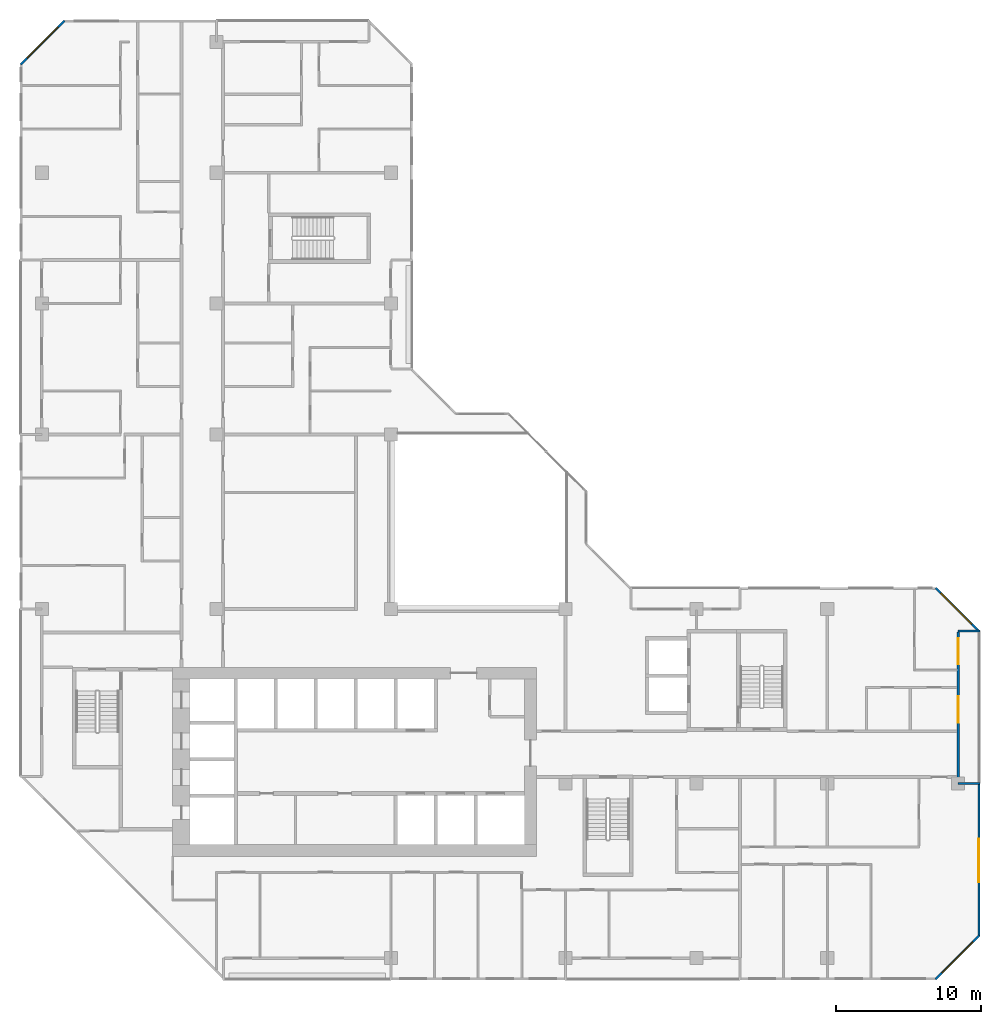
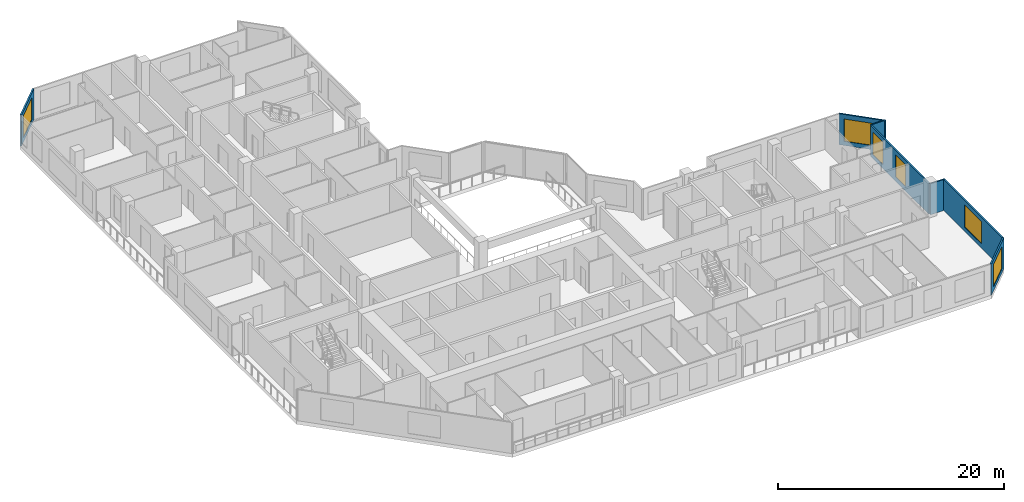
# One storey, part 12 of 15: 7 walls, 6 windows, 6 openings.
"""IFC4 building model written with IfcOpenShell, lengths in metres."""

from ifc_helpers import new_model, si_unit, direction, frame, frame_2d, origin, place, context, subcontext, project, spatial, rectangle, extrude, material, layer, layer_set, type_object, element, fill, save


model = new_model("IFC4")

# Units and contexts
model_context = context("Model", 3, precision=1e-05, world=origin(), true_north=direction((0.0, 1.0)))
body_context = subcontext(model_context, "Body", "Model", "MODEL_VIEW")
ifc_project = project(units=[si_unit("LENGTHUNIT", "METRE"), si_unit("AREAUNIT", "SQUARE_METRE"), si_unit("VOLUMEUNIT", "CUBIC_METRE"), si_unit("PLANEANGLEUNIT", "RADIAN"), si_unit("MASSUNIT", "GRAM", prefix="KILO")], contexts=[model_context])

# Site, building, storey
site_placement = place(None, origin())
site = spatial("IfcSite", under=ifc_project, at=site_placement, CompositionType="ELEMENT")
building_placement = place(site_placement, origin())
building = spatial("IfcBuilding", under=site, at=building_placement, Name="Chenar Terraces", CompositionType="ELEMENT")
storey_placement = place(building_placement, frame((0.0, 0.0, 198.64990234375)))
storey = spatial("IfcBuildingStorey", under=building, at=storey_placement, Name="L46", CompositionType="ELEMENT", Elevation=198.64990234375)

# Wall, opening, window
ifc_material_1 = material(Name="Aluminium framed glazing", Category="aluminium")
ifc_layer_1 = layer(ifc_material_1, 0.14990234375)
ifc_layer_set_1 = layer_set([ifc_layer_1], Name="Aluminium framed glazing")
wall_type_1 = type_object("IfcWallType", Name="Glazed flush facade wall 150", PredefinedType="SOLIDWALL", material=ifc_layer_set_1)
wall_1_placement = place(storey_placement, frame((64.425048828125, 1.5, 0.0), z_axis=(0.0, 0.0, 1.0), x_axis=(0.0, 1.0, 0.0)))
wall_1 = element("IfcWall", 1, at=wall_1_placement, inside=storey, type_object=wall_type_1, Name="Glazed flush facade wall", PredefinedType="SOLIDWALL", context=body_context, shape_type="SweptSolid", body=[
    extrude(rectangle(XDim=10.425048828125, YDim=0.14990234375, at=frame_2d((5.21240234375, 0.0))), origin(), (0.0, 0.0, 1.0), 3.35009765625),
])
opening_1_placement = place(wall_1_placement, frame((3.71240234375, 0.0, 0.449951171875)))
opening_1 = element("IfcOpeningElement", 2, at=opening_1_placement, cuts=wall_1, Name="Opening W300x240", PredefinedType="OPENING", context=body_context, shape_type="SweptSolid", body=[
    extrude(rectangle(XDim=3.0, YDim=2.39990234375, at=frame_2d((1.5, 1.199951171875))), frame((0.0, 0.0849609375, 0.0), z_axis=(0.0, -1.0, 0.0), x_axis=(1.0, 0.0, 0.0)), (0.0, 0.0, 1.0), 0.169921875),
])
ifc_material_2 = material(Name="Low emissivity double glazing, aluminium frame", Category="aluminium")
window_type_1 = type_object("IfcWindowType", Name="Fixed light 3000 x 2400", PartitioningType="SINGLE_PANEL", PredefinedType="WINDOW", material=ifc_material_2)
window_1_placement = place(opening_1_placement, origin())
window_1 = element("IfcWindow", 3, at=window_1_placement, inside=storey, type_object=window_type_1, Name="Window", OverallHeight=2.39990234375, OverallWidth=3.0, PartitioningType="SINGLE_PANEL", PredefinedType="WINDOW", context=body_context, shape_type="SweptSolid", body=[
    extrude(rectangle(XDim=3.0, YDim=2.39990234375, at=frame_2d((1.5, 1.199951171875))), frame((0.0, 0.030029296875, 0.0), z_axis=(0.0, -1.0, 0.0), x_axis=(1.0, 0.0, 0.0)), (0.0, 0.0, 1.0), 0.06005859375),
])
fill(opening_1, window_1)

# Wall, openings, windows
ifc_material_3 = material(Name="Aluminium framed glazing", Category="aluminium")
ifc_layer_2 = layer(ifc_material_3, 0.14990234375)
ifc_layer_set_2 = layer_set([ifc_layer_2], Name="Aluminium framed glazing")
wall_type_2 = type_object("IfcWallType", Name="Glazed loggia back wall 150", PredefinedType="SOLIDWALL", material=ifc_layer_set_2)
wall_2_placement = place(storey_placement, frame((63.0, 12.074951171875, 0.0), z_axis=(0.0, 0.0, 1.0), x_axis=(0.0, 1.0, 0.0)))
wall_2 = element("IfcWall", 4, at=wall_2_placement, inside=storey, type_object=wall_type_2, Name="Glazed loggia back wall", PredefinedType="SOLIDWALL", context=body_context, shape_type="SweptSolid", body=[
    extrude(rectangle(XDim=10.35009765625, YDim=0.14990234375, at=frame_2d((5.175048828125, 0.0))), origin(), (0.0, 0.0, 1.0), 3.35009765625),
])
opening_2_placement = place(wall_2_placement, frame((4.125, 0.0, 0.449951171875)))
opening_2 = element("IfcOpeningElement", 5, at=opening_2_placement, cuts=wall_2, Name="Opening W180x240", PredefinedType="OPENING", context=body_context, shape_type="SweptSolid", body=[
    extrude(rectangle(XDim=1.800048828125, YDim=2.39990234375, at=frame_2d((0.89990234375, 1.199951171875))), frame((0.0, 0.0849609375, 0.0), z_axis=(0.0, -1.0, 0.0), x_axis=(1.0, 0.0, 0.0)), (0.0, 0.0, 1.0), 0.169921875),
])
opening_3_placement = place(wall_2_placement, frame((8.137451171875, 0.0, 0.449951171875)))
opening_3 = element("IfcOpeningElement", 6, at=opening_3_placement, cuts=wall_2, Name="Opening W180x240", PredefinedType="OPENING", context=body_context, shape_type="SweptSolid", body=[
    extrude(rectangle(XDim=1.800048828125, YDim=2.39990234375, at=frame_2d((0.89990234375, 1.199951171875))), frame((0.0, 0.0849609375, 0.0), z_axis=(0.0, -1.0, 0.0), x_axis=(1.0, 0.0, 0.0)), (0.0, 0.0, 1.0), 0.169921875),
])
ifc_material_4 = material(Name="Low emissivity double glazing, aluminium frame", Category="aluminium")
window_type_2 = type_object("IfcWindowType", Name="Fixed light 1800 x 2400", PartitioningType="SINGLE_PANEL", PredefinedType="WINDOW", material=ifc_material_4)
window_2_placement = place(opening_2_placement, origin())
window_2 = element("IfcWindow", 7, at=window_2_placement, inside=storey, type_object=window_type_2, Name="Window", OverallHeight=2.39990234375, OverallWidth=1.800048828125, PartitioningType="SINGLE_PANEL", PredefinedType="WINDOW", context=body_context, shape_type="SweptSolid", body=[
    extrude(rectangle(XDim=1.800048828125, YDim=2.39990234375, at=frame_2d((0.89990234375, 1.199951171875))), frame((0.0, 0.030029296875, 0.0), z_axis=(0.0, -1.0, 0.0), x_axis=(1.0, 0.0, 0.0)), (0.0, 0.0, 1.0), 0.06005859375),
])
fill(opening_2, window_2)
window_3_placement = place(opening_3_placement, origin())
window_3 = element("IfcWindow", 8, at=window_3_placement, inside=storey, type_object=window_type_2, Name="Window", OverallHeight=2.39990234375, OverallWidth=1.800048828125, PartitioningType="SINGLE_PANEL", PredefinedType="WINDOW", context=body_context, shape_type="SweptSolid", body=[
    extrude(rectangle(XDim=1.800048828125, YDim=2.39990234375, at=frame_2d((0.89990234375, 1.199951171875))), frame((0.0, 0.030029296875, 0.0), z_axis=(0.0, -1.0, 0.0), x_axis=(1.0, 0.0, 0.0)), (0.0, 0.0, 1.0), 0.06005859375),
])
fill(opening_3, window_3)

# Walls
ifc_material_5 = material(Name="Terracotta cladding on insulated backing", Category="masonry")
ifc_layer_3 = layer(ifc_material_5, 0.14990234375)
ifc_layer_set_3 = layer_set([ifc_layer_3], Name="Terracotta cladding on insulated backing")
wall_type_3 = type_object("IfcWallType", Name="Loggia return wall 150", PredefinedType="SOLIDWALL", material=ifc_layer_set_3)
for number, where, z_axis, x_axis, name in (
    (9, (64.5, 12.0, 0.0), (0.0, 0.0, 1.0), (-1.0, 0.0, 0.0), "Loggia return wall"),
    (10, (64.5, 22.5, 0.0), (0.0, 0.0, 1.0), (-1.0, 0.0, 0.0), "Loggia return wall"),
):
    element("IfcWall", number, at=place(storey_placement, frame(where, z_axis=z_axis, x_axis=x_axis)), inside=storey, type_object=wall_type_3, Name=name, PredefinedType="SOLIDWALL", context=body_context, shape_type="SweptSolid", body=[
        extrude(rectangle(XDim=1.5, YDim=0.14990234375, at=frame_2d((0.75, 0.0))), origin(), (0.0, 0.0, 1.0), 3.35009765625),
    ])

# Wall, opening, window
ifc_material_6 = material(Name="Terracotta cladding on insulated backing", Category="masonry")
ifc_layer_4 = layer(ifc_material_6, 0.14990234375)
ifc_layer_set_4 = layer_set([ifc_layer_4], Name="Terracotta cladding on insulated backing")
wall_type_4 = type_object("IfcWallType", Name="Terracotta rainscreen wall 150", PredefinedType="SOLIDWALL", material=ifc_layer_set_4)
wall_3_placement = place(storey_placement, frame((1.552978515625, 64.447021484375, 0.0), z_axis=(0.0, 0.0, 1.0), x_axis=(-0.707106781187, -0.707106781187, 0.0)))
wall_3 = element("IfcWall", 11, at=wall_3_placement, inside=storey, type_object=wall_type_4, Name="Terracotta rainscreen wall", PredefinedType="SOLIDWALL", context=body_context, shape_type="SweptSolid", body=[
    extrude(rectangle(XDim=4.24267578125, YDim=0.14990234375, at=frame_2d((2.121337890625, 0.0))), origin(), (0.0, 0.0, 1.0), 3.35009765625),
])
opening_4_placement = place(wall_3_placement, frame((0.621337890625, 0.0, 0.449951171875)))
opening_4 = element("IfcOpeningElement", 12, at=opening_4_placement, cuts=wall_3, Name="Opening W300x240", PredefinedType="OPENING", context=body_context, shape_type="SweptSolid", body=[
    extrude(rectangle(XDim=3.0, YDim=2.39990234375, at=frame_2d((1.5, 1.199951171875))), frame((0.0, 0.0849609375, 0.0), z_axis=(0.0, -1.0, 0.0), x_axis=(1.0, 0.0, 0.0)), (0.0, 0.0, 1.0), 0.169921875),
])
window_4_placement = place(opening_4_placement, origin())
window_4 = element("IfcWindow", 13, at=window_4_placement, inside=storey, type_object=window_type_1, Name="Window", OverallHeight=2.39990234375, OverallWidth=3.0, PartitioningType="SINGLE_PANEL", PredefinedType="WINDOW", context=body_context, shape_type="SweptSolid", body=[
    extrude(rectangle(XDim=3.0, YDim=2.39990234375, at=frame_2d((1.5, 1.199951171875))), frame((0.0, 0.030029296875, 0.0), z_axis=(0.0, -1.0, 0.0), x_axis=(1.0, 0.0, 0.0)), (0.0, 0.0, 1.0), 0.06005859375),
])
fill(opening_4, window_4)

wall_4_placement = place(storey_placement, frame((61.447021484375, -1.447021484375, 0.0), z_axis=(0.0, 0.0, 1.0), x_axis=(0.707106781187, 0.707106781187, 0.0)))
wall_4 = element("IfcWall", 14, at=wall_4_placement, inside=storey, type_object=wall_type_4, Name="Terracotta rainscreen wall", PredefinedType="SOLIDWALL", context=body_context, shape_type="SweptSolid", body=[
    extrude(rectangle(XDim=4.24267578125, YDim=0.14990234375, at=frame_2d((2.121337890625, 0.0))), origin(), (0.0, 0.0, 1.0), 3.35009765625),
])
opening_5_placement = place(wall_4_placement, frame((0.621337890625, 0.0, 0.449951171875)))
opening_5 = element("IfcOpeningElement", 15, at=opening_5_placement, cuts=wall_4, Name="Opening W300x240", PredefinedType="OPENING", context=body_context, shape_type="SweptSolid", body=[
    extrude(rectangle(XDim=3.0, YDim=2.39990234375, at=frame_2d((1.5, 1.199951171875))), frame((0.0, 0.0849609375, 0.0), z_axis=(0.0, -1.0, 0.0), x_axis=(1.0, 0.0, 0.0)), (0.0, 0.0, 1.0), 0.169921875),
])
window_5_placement = place(opening_5_placement, origin())
window_5 = element("IfcWindow", 16, at=window_5_placement, inside=storey, type_object=window_type_1, Name="Window", OverallHeight=2.39990234375, OverallWidth=3.0, PartitioningType="SINGLE_PANEL", PredefinedType="WINDOW", context=body_context, shape_type="SweptSolid", body=[
    extrude(rectangle(XDim=3.0, YDim=2.39990234375, at=frame_2d((1.5, 1.199951171875))), frame((0.0, 0.030029296875, 0.0), z_axis=(0.0, -1.0, 0.0), x_axis=(1.0, 0.0, 0.0)), (0.0, 0.0, 1.0), 0.06005859375),
])
fill(opening_5, window_5)

wall_5_placement = place(storey_placement, frame((64.447021484375, 22.447021484375, 0.0), z_axis=(0.0, 0.0, 1.0), x_axis=(-0.707106781187, 0.707106781187, 0.0)))
wall_5 = element("IfcWall", 17, at=wall_5_placement, inside=storey, type_object=wall_type_4, Name="Terracotta rainscreen wall", PredefinedType="SOLIDWALL", context=body_context, shape_type="SweptSolid", body=[
    extrude(rectangle(XDim=4.24267578125, YDim=0.14990234375, at=frame_2d((2.121337890625, 0.0))), origin(), (0.0, 0.0, 1.0), 3.35009765625),
])
opening_6_placement = place(wall_5_placement, frame((0.744384765625, 0.0, 0.449951171875)))
opening_6 = element("IfcOpeningElement", 18, at=opening_6_placement, cuts=wall_5, Name="Opening W300x240", PredefinedType="OPENING", context=body_context, shape_type="SweptSolid", body=[
    extrude(rectangle(XDim=3.0, YDim=2.39990234375, at=frame_2d((1.5, 1.199951171875))), frame((0.0, 0.0849609375, 0.0), z_axis=(0.0, -1.0, 0.0), x_axis=(1.0, 0.0, 0.0)), (0.0, 0.0, 1.0), 0.169921875),
])
window_6_placement = place(opening_6_placement, origin())
window_6 = element("IfcWindow", 19, at=window_6_placement, inside=storey, type_object=window_type_1, Name="Window", OverallHeight=2.39990234375, OverallWidth=3.0, PartitioningType="SINGLE_PANEL", PredefinedType="WINDOW", context=body_context, shape_type="SweptSolid", body=[
    extrude(rectangle(XDim=3.0, YDim=2.39990234375, at=frame_2d((1.5, 1.199951171875))), frame((0.0, 0.030029296875, 0.0), z_axis=(0.0, -1.0, 0.0), x_axis=(1.0, 0.0, 0.0)), (0.0, 0.0, 1.0), 0.06005859375),
])
fill(opening_6, window_6)

save(model, "model.ifc")
